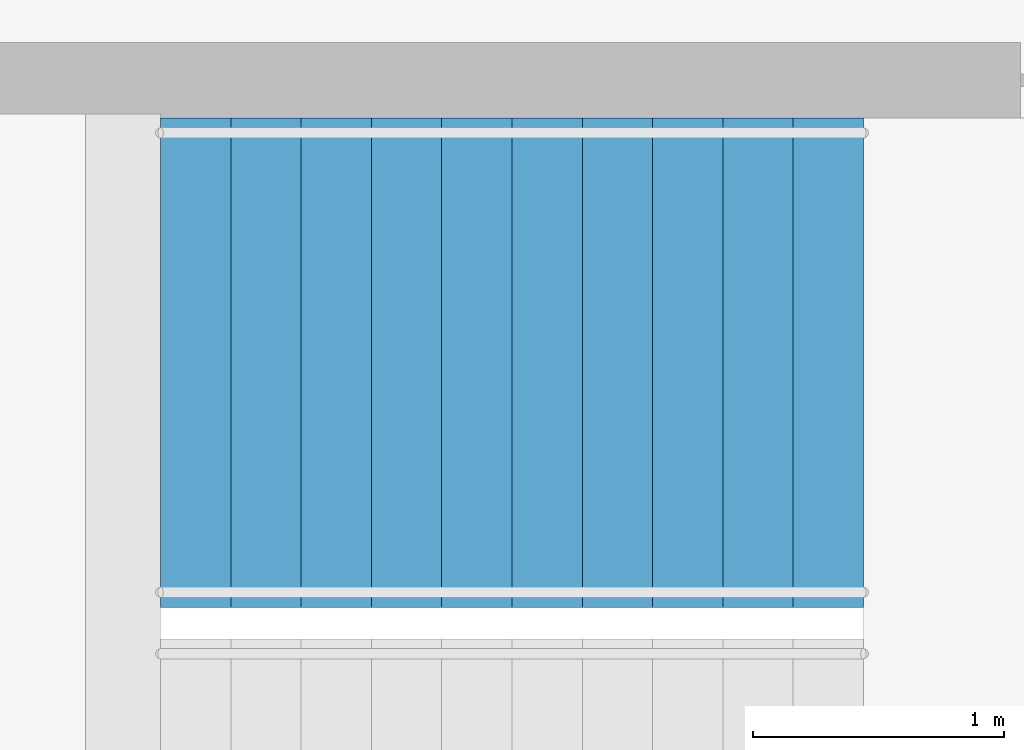
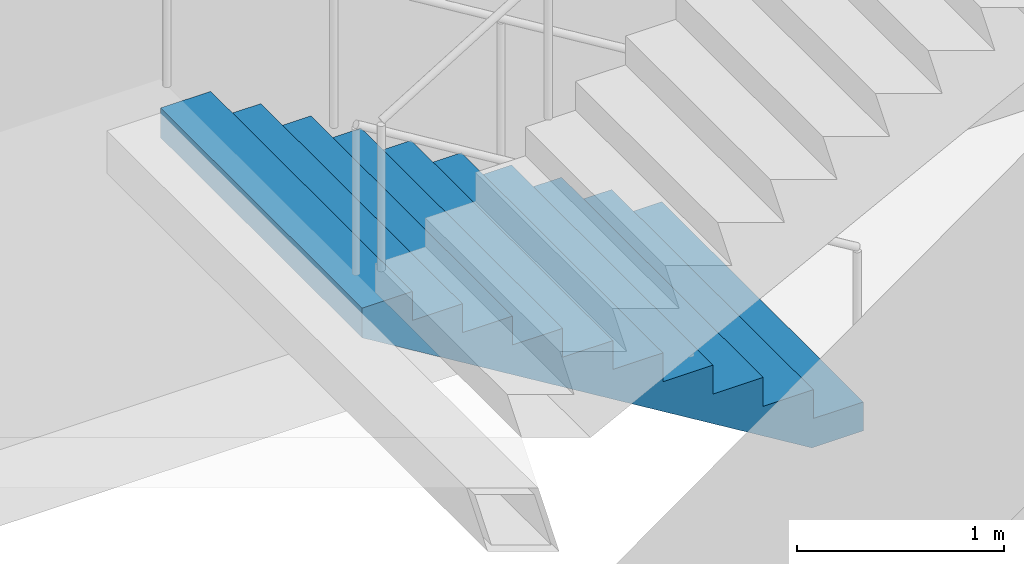
# One storey, part 27 of 28: 1 stair flight, 1 element without a shape of its own.
"""IFC4 building model written with IfcOpenShell, lengths in metres."""

from ifc_helpers import new_model, si_unit, direction, frame, origin, place, context, subcontext, project, spatial, triangles, material, type_object, element, aggregate, save


model = new_model("IFC4")

# Units and contexts
model_context = context("Model", 3, precision=1e-05, world=origin(), true_north=direction((0.0, 1.0)))
body_context = subcontext(model_context, "Body", "Model", "MODEL_VIEW")
ifc_project = project(units=[si_unit("LENGTHUNIT", "METRE"), si_unit("AREAUNIT", "SQUARE_METRE"), si_unit("VOLUMEUNIT", "CUBIC_METRE"), si_unit("PLANEANGLEUNIT", "RADIAN"), si_unit("MASSUNIT", "GRAM", prefix="KILO")], contexts=[model_context])

# Site, building, storey
site_placement = place(None, origin())
site = spatial("IfcSite", under=ifc_project, at=site_placement, CompositionType="ELEMENT")
building_placement = place(site_placement, origin())
building = spatial("IfcBuilding", under=site, at=building_placement, Name="Orbita Commons", CompositionType="ELEMENT")
storey_placement = place(building_placement, frame((0.0, 0.0, 193.60009765625)))
storey = spatial("IfcBuildingStorey", under=building, at=storey_placement, Name="L48", CompositionType="ELEMENT", Elevation=193.60009765625)

# Stair, stair flight
ifc_material_1 = material(Name="Precast concrete C40/50", Category="concrete")
stair_type = type_object("IfcStairType", Name="Exit stair S2 2 flights 11 risers 170", PredefinedType="HALF_TURN_STAIR", material=ifc_material_1)
stair_placement = place(storey_placement, origin())
stair = element("IfcStair", 1, at=stair_placement, inside=storey, type_object=stair_type, Name="Exit stair S2 L48", PredefinedType="HALF_TURN_STAIR")
ifc_material_2 = material(Name="Precast concrete C40/50", Category="concrete")
stair_flight_type = type_object("IfcStairFlightType", Name="Stair flight 11 risers 170 x 280", PredefinedType="STRAIGHT", material=ifc_material_2)
stair_flight_placement = place(storey_placement, frame((63.550048828125, 29.27490234375, 0.0), z_axis=(0.0, 0.0, 1.0), x_axis=(-1.0, 0.0, 0.0)))
stair_flight = element("IfcStairFlight", 2, at=stair_flight_placement, type_object=stair_flight_type, Name="S2 flight 1", NumberOfRisers=11, NumberOfTreads=10, PredefinedType="STRAIGHT", RiserHeight=0.170454545, TreadLength=0.28, context=body_context, shape_type="Tessellation", body=[
    triangles([(0.0, 0.974976, 0.0), (0.0, 0.974976, 0.021307), (0.0, 0.81248, 0.021307), (0.0, 0.81248, 0.0), (0.0, 0.649984, 0.021307), (0.0, 0.649984, 0.0), (0.0, 0.487488, 0.021307), (0.0, 0.487488, 0.0), (0.0, 0.324992, 0.021307), (0.0, 0.324992, 0.0), (0.0, 0.162496, 0.021307), (0.0, 0.162496, 0.0), (0.0, 0.0, 0.021307), (0.0, 0.0, 0.0), (0.0, -0.162496, 0.021307), (0.0, -0.162496, 0.0), (0.0, -0.324992, 0.021307), (0.0, -0.324992, 0.0), (0.0, -0.487488, 0.021307), (0.0, -0.487488, 0.0), (0.0, -0.649984, 0.021307), (0.0, -0.649984, 0.0), (0.0, -0.81248, 0.021307), (0.0, -0.81248, 0.0), (0.0, -0.974976, 0.021307), (0.0, -0.974976, 0.0), (0.0, 0.974976, 0.042614), (0.0, 0.81248, 0.042614), (0.0, 0.649984, 0.042614), (0.0, 0.487488, 0.042614), (0.0, 0.324992, 0.042614), (0.0, 0.162496, 0.042614), (0.0, 0.0, 0.042614), (0.0, -0.162496, 0.042614), (0.0, -0.324992, 0.042614), (0.0, -0.487488, 0.042614), (0.0, -0.649984, 0.042614), (0.0, -0.81248, 0.042614), (0.0, -0.974976, 0.042614), (0.0, 0.974976, 0.06392), (0.0, 0.81248, 0.06392), (0.0, 0.649984, 0.06392), (0.0, 0.487488, 0.06392), (0.0, 0.324992, 0.06392), (0.0, 0.162496, 0.06392), (0.0, 0.0, 0.06392), (0.0, -0.162496, 0.06392), (0.0, -0.324992, 0.06392), (0.0, -0.487488, 0.06392), (0.0, -0.649984, 0.06392), (0.0, -0.81248, 0.06392), (0.0, -0.974976, 0.06392), (0.0, 0.974976, 0.085227), (0.0, 0.81248, 0.085227), (0.0, 0.649984, 0.085227), (0.0, 0.487488, 0.085227), (0.0, 0.324992, 0.085227), (0.0, 0.162496, 0.085227), (0.0, 0.0, 0.085227), (0.0, -0.162496, 0.085227), (0.0, -0.324992, 0.085227), (0.0, -0.487488, 0.085227), (0.0, -0.649984, 0.085227), (0.0, -0.81248, 0.085227), (0.0, -0.974976, 0.085227), (0.0, 0.974976, 0.106534), (0.0, 0.81248, 0.106534), (0.0, 0.649984, 0.106534), (0.0, 0.487488, 0.106534), (0.0, 0.324992, 0.106534), (0.0, 0.162496, 0.106534), (0.0, 0.0, 0.106534), (0.0, -0.162496, 0.106534), (0.0, -0.324992, 0.106534), (0.0, -0.487488, 0.106534), (0.0, -0.649984, 0.106534), (0.0, -0.81248, 0.106534), (0.0, -0.974976, 0.106534), (0.0, 0.974976, 0.127841), (0.0, 0.81248, 0.127841), (0.0, 0.649984, 0.127841), (0.0, 0.487488, 0.127841), (0.0, 0.324992, 0.127841), (0.0, 0.162496, 0.127841), (0.0, 0.0, 0.127841), (0.0, -0.162496, 0.127841), (0.0, -0.324992, 0.127841), (0.0, -0.487488, 0.127841), (0.0, -0.649984, 0.127841), (0.0, -0.81248, 0.127841), (0.0, -0.974976, 0.127841), (0.0, 0.974976, 0.149148), (0.0, 0.81248, 0.149148), (0.0, 0.649984, 0.149148), (0.0, 0.487488, 0.149148), (0.0, 0.324992, 0.149148), (0.0, 0.162496, 0.149148), (0.0, 0.0, 0.149148), (0.0, -0.162496, 0.149148), (0.0, -0.324992, 0.149148), (0.0, -0.487488, 0.149148), (0.0, -0.649984, 0.149148), (0.0, -0.81248, 0.149148), (0.0, -0.974976, 0.149148), (0.0, 0.974976, 0.170455), (0.0, 0.81248, 0.170455), (0.0, 0.649984, 0.170455), (0.0, 0.487488, 0.170455), (0.0, 0.324992, 0.170455), (0.0, 0.162496, 0.170455), (0.0, 0.0, 0.170455), (0.0, -0.162496, 0.170455), (0.0, -0.324992, 0.170455), (0.0, -0.487488, 0.170455), (0.0, -0.649984, 0.170455), (0.0, -0.81248, 0.170455), (0.0, -0.974976, 0.170455), (0.28, 0.974976, 0.170455), (0.28, 0.81248, 0.170455), (0.28, 0.649984, 0.170455), (0.28, 0.487488, 0.170455), (0.28, 0.324992, 0.170455), (0.28, 0.162496, 0.170455), (0.28, 0.0, 0.170455), (0.28, -0.162496, 0.170455), (0.28, -0.324992, 0.170455), (0.28, -0.487488, 0.170455), (0.28, -0.649984, 0.170455), (0.28, -0.81248, 0.170455), (0.28, -0.974976, 0.170455), (0.28, 0.974976, 0.340909), (0.28, 0.81248, 0.340909), (0.28, 0.649984, 0.340909), (0.28, 0.487488, 0.340909), (0.28, 0.324992, 0.340909), (0.28, 0.162496, 0.340909), (0.28, 0.0, 0.340909), (0.28, -0.162496, 0.340909), (0.28, -0.324992, 0.340909), (0.28, -0.487488, 0.340909), (0.28, -0.649984, 0.340909), (0.28, -0.81248, 0.340909), (0.28, -0.974976, 0.340909), (0.56, 0.974976, 0.340909), (0.56, 0.81248, 0.340909), (0.56, 0.649984, 0.340909), (0.56, 0.487488, 0.340909), (0.56, 0.324992, 0.340909), (0.56, 0.162496, 0.340909), (0.56, 0.0, 0.340909), (0.56, -0.162496, 0.340909), (0.56, -0.324992, 0.340909), (0.56, -0.487488, 0.340909), (0.56, -0.649984, 0.340909), (0.56, -0.81248, 0.340909), (0.56, -0.974976, 0.340909), (0.56, 0.974976, 0.511364), (0.56, 0.81248, 0.511364), (0.56, 0.649984, 0.511364), (0.56, 0.487488, 0.511364), (0.56, 0.324992, 0.511364), (0.56, 0.162496, 0.511364), (0.56, 0.0, 0.511364), (0.56, -0.162496, 0.511364), (0.56, -0.324992, 0.511364), (0.56, -0.487488, 0.511364), (0.56, -0.649984, 0.511364), (0.56, -0.81248, 0.511364), (0.56, -0.974976, 0.511364), (0.84, 0.974976, 0.511364), (0.84, 0.81248, 0.511364), (0.84, 0.649984, 0.511364), (0.84, 0.487488, 0.511364), (0.84, 0.324992, 0.511364), (0.84, 0.162496, 0.511364), (0.84, 0.0, 0.511364), (0.84, -0.162496, 0.511364), (0.84, -0.324992, 0.511364), (0.84, -0.487488, 0.511364), (0.84, -0.649984, 0.511364), (0.84, -0.81248, 0.511364), (0.84, -0.974976, 0.511364), (0.84, 0.974976, 0.681818), (0.84, 0.81248, 0.681818), (0.84, 0.649984, 0.681818), (0.84, 0.487488, 0.681818), (0.84, 0.324992, 0.681818), (0.84, 0.162496, 0.681818), (0.84, 0.0, 0.681818), (0.84, -0.162496, 0.681818), (0.84, -0.324992, 0.681818), (0.84, -0.487488, 0.681818), (0.84, -0.649984, 0.681818), (0.84, -0.81248, 0.681818), (0.84, -0.974976, 0.681818), (1.12, 0.974976, 0.681818), (1.12, 0.81248, 0.681818), (1.12, 0.649984, 0.681818), (1.12, 0.487488, 0.681818), (1.12, 0.324992, 0.681818), (1.12, 0.162496, 0.681818), (1.12, 0.0, 0.681818), (1.12, -0.162496, 0.681818), (1.12, -0.324992, 0.681818), (1.12, -0.487488, 0.681818), (1.12, -0.649984, 0.681818), (1.12, -0.81248, 0.681818), (1.12, -0.974976, 0.681818), (1.12, 0.974976, 0.852273), (1.12, 0.81248, 0.852273), (1.12, 0.649984, 0.852273), (1.12, 0.487488, 0.852273), (1.12, 0.324992, 0.852273), (1.12, 0.162496, 0.852273), (1.12, 0.0, 0.852273), (1.12, -0.162496, 0.852273), (1.12, -0.324992, 0.852273), (1.12, -0.487488, 0.852273), (1.12, -0.649984, 0.852273), (1.12, -0.81248, 0.852273), (1.12, -0.974976, 0.852273), (1.4, 0.974976, 0.852273), (1.4, 0.81248, 0.852273), (1.4, 0.649984, 0.852273), (1.4, 0.487488, 0.852273), (1.4, 0.324992, 0.852273), (1.4, 0.162496, 0.852273), (1.4, 0.0, 0.852273), (1.4, -0.162496, 0.852273), (1.4, -0.324992, 0.852273), (1.4, -0.487488, 0.852273), (1.4, -0.649984, 0.852273), (1.4, -0.81248, 0.852273), (1.4, -0.974976, 0.852273), (1.4, 0.974976, 1.022727), (1.4, 0.81248, 1.022727), (1.4, 0.649984, 1.022727), (1.4, 0.487488, 1.022727), (1.4, 0.324992, 1.022727), (1.4, 0.162496, 1.022727), (1.4, 0.0, 1.022727), (1.4, -0.162496, 1.022727), (1.4, -0.324992, 1.022727), (1.4, -0.487488, 1.022727), (1.4, -0.649984, 1.022727), (1.4, -0.81248, 1.022727), (1.4, -0.974976, 1.022727), (1.68, 0.974976, 1.022727), (1.68, 0.81248, 1.022727), (1.68, 0.649984, 1.022727), (1.68, 0.487488, 1.022727), (1.68, 0.324992, 1.022727), (1.68, 0.162496, 1.022727), (1.68, 0.0, 1.022727), (1.68, -0.162496, 1.022727), (1.68, -0.324992, 1.022727), (1.68, -0.487488, 1.022727), (1.68, -0.649984, 1.022727), (1.68, -0.81248, 1.022727), (1.68, -0.974976, 1.022727), (1.68, 0.974976, 1.193182), (1.68, 0.81248, 1.193182), (1.68, 0.649984, 1.193182), (1.68, 0.487488, 1.193182), (1.68, 0.324992, 1.193182), (1.68, 0.162496, 1.193182), (1.68, 0.0, 1.193182), (1.68, -0.162496, 1.193182), (1.68, -0.324992, 1.193182), (1.68, -0.487488, 1.193182), (1.68, -0.649984, 1.193182), (1.68, -0.81248, 1.193182), (1.68, -0.974976, 1.193182), (1.96, 0.974976, 1.193182), (1.96, 0.81248, 1.193182), (1.96, 0.649984, 1.193182), (1.96, 0.487488, 1.193182), (1.96, 0.324992, 1.193182), (1.96, 0.162496, 1.193182), (1.96, 0.0, 1.193182), (1.96, -0.162496, 1.193182), (1.96, -0.324992, 1.193182), (1.96, -0.487488, 1.193182), (1.96, -0.649984, 1.193182), (1.96, -0.81248, 1.193182), (1.96, -0.974976, 1.193182), (1.96, 0.974976, 1.363636), (1.96, 0.81248, 1.363636), (1.96, 0.649984, 1.363636), (1.96, 0.487488, 1.363636), (1.96, 0.324992, 1.363636), (1.96, 0.162496, 1.363636), (1.96, 0.0, 1.363636), (1.96, -0.162496, 1.363636), (1.96, -0.324992, 1.363636), (1.96, -0.487488, 1.363636), (1.96, -0.649984, 1.363636), (1.96, -0.81248, 1.363636), (1.96, -0.974976, 1.363636), (2.24, 0.974976, 1.363636), (2.24, 0.81248, 1.363636), (2.24, 0.649984, 1.363636), (2.24, 0.487488, 1.363636), (2.24, 0.324992, 1.363636), (2.24, 0.162496, 1.363636), (2.24, 0.0, 1.363636), (2.24, -0.162496, 1.363636), (2.24, -0.324992, 1.363636), (2.24, -0.487488, 1.363636), (2.24, -0.649984, 1.363636), (2.24, -0.81248, 1.363636), (2.24, -0.974976, 1.363636), (2.24, 0.974976, 1.534091), (2.24, 0.81248, 1.534091), (2.24, 0.649984, 1.534091), (2.24, 0.487488, 1.534091), (2.24, 0.324992, 1.534091), (2.24, 0.162496, 1.534091), (2.24, 0.0, 1.534091), (2.24, -0.162496, 1.534091), (2.24, -0.324992, 1.534091), (2.24, -0.487488, 1.534091), (2.24, -0.649984, 1.534091), (2.24, -0.81248, 1.534091), (2.24, -0.974976, 1.534091), (2.52, 0.974976, 1.534091), (2.52, 0.81248, 1.534091), (2.52, 0.649984, 1.534091), (2.52, 0.487488, 1.534091), (2.52, 0.324992, 1.534091), (2.52, 0.162496, 1.534091), (2.52, 0.0, 1.534091), (2.52, -0.162496, 1.534091), (2.52, -0.324992, 1.534091), (2.52, -0.487488, 1.534091), (2.52, -0.649984, 1.534091), (2.52, -0.81248, 1.534091), (2.52, -0.974976, 1.534091), (2.52, 0.974976, 1.704545), (2.52, 0.81248, 1.704545), (2.52, 0.649984, 1.704545), (2.52, 0.487488, 1.704545), (2.52, 0.324992, 1.704545), (2.52, 0.162496, 1.704545), (2.52, 0.0, 1.704545), (2.52, -0.162496, 1.704545), (2.52, -0.324992, 1.704545), (2.52, -0.487488, 1.704545), (2.52, -0.649984, 1.704545), (2.52, -0.81248, 1.704545), (2.52, -0.974976, 1.704545), (2.8, 0.974976, 1.704545), (2.8, 0.81248, 1.704545), (2.8, 0.649984, 1.704545), (2.8, 0.487488, 1.704545), (2.8, 0.324992, 1.704545), (2.8, 0.162496, 1.704545), (2.8, 0.0, 1.704545), (2.8, -0.162496, 1.704545), (2.8, -0.324992, 1.704545), (2.8, -0.487488, 1.704545), (2.8, -0.649984, 1.704545), (2.8, -0.81248, 1.704545), (2.8, -0.974976, 1.704545), (2.8, 0.974976, 1.682609), (2.8, 0.81248, 1.682609), (2.8, 0.649984, 1.682609), (2.8, 0.487488, 1.682609), (2.8, 0.324992, 1.682609), (2.8, 0.162496, 1.682609), (2.8, 0.0, 1.682609), (2.8, -0.162496, 1.682609), (2.8, -0.324992, 1.682609), (2.8, -0.487488, 1.682609), (2.8, -0.649984, 1.682609), (2.8, -0.81248, 1.682609), (2.8, -0.974976, 1.682609), (2.8, 0.974976, 1.660672), (2.8, 0.81248, 1.660672), (2.8, 0.649984, 1.660672), (2.8, 0.487488, 1.660672), (2.8, 0.324992, 1.660672), (2.8, 0.162496, 1.660672), (2.8, 0.0, 1.660672), (2.8, -0.162496, 1.660672), (2.8, -0.324992, 1.660672), (2.8, -0.487488, 1.660672), (2.8, -0.649984, 1.660672), (2.8, -0.81248, 1.660672), (2.8, -0.974976, 1.660672), (2.8, 0.974976, 1.638735), (2.8, 0.81248, 1.638735), (2.8, 0.649984, 1.638735), (2.8, 0.487488, 1.638735), (2.8, 0.324992, 1.638735), (2.8, 0.162496, 1.638735), (2.8, 0.0, 1.638735), (2.8, -0.162496, 1.638735), (2.8, -0.324992, 1.638735), (2.8, -0.487488, 1.638735), (2.8, -0.649984, 1.638735), (2.8, -0.81248, 1.638735), (2.8, -0.974976, 1.638735), (2.8, 0.974976, 1.616798), (2.8, 0.81248, 1.616798), (2.8, 0.649984, 1.616798), (2.8, 0.487488, 1.616798), (2.8, 0.324992, 1.616798), (2.8, 0.162496, 1.616798), (2.8, 0.0, 1.616798), (2.8, -0.162496, 1.616798), (2.8, -0.324992, 1.616798), (2.8, -0.487488, 1.616798), (2.8, -0.649984, 1.616798), (2.8, -0.81248, 1.616798), (2.8, -0.974976, 1.616798), (2.8, 0.974976, 1.594861), (2.8, 0.81248, 1.594861), (2.8, 0.649984, 1.594861), (2.8, 0.487488, 1.594861), (2.8, 0.324992, 1.594861), (2.8, 0.162496, 1.594861), (2.8, 0.0, 1.594861), (2.8, -0.162496, 1.594861), (2.8, -0.324992, 1.594861), (2.8, -0.487488, 1.594861), (2.8, -0.649984, 1.594861), (2.8, -0.81248, 1.594861), (2.8, -0.974976, 1.594861), (2.8, 0.974976, 1.572925), (2.8, 0.81248, 1.572925), (2.8, 0.649984, 1.572925), (2.8, 0.487488, 1.572925), (2.8, 0.324992, 1.572925), (2.8, 0.162496, 1.572925), (2.8, 0.0, 1.572925), (2.8, -0.162496, 1.572925), (2.8, -0.324992, 1.572925), (2.8, -0.487488, 1.572925), (2.8, -0.649984, 1.572925), (2.8, -0.81248, 1.572925), (2.8, -0.974976, 1.572925), (2.8, 0.974976, 1.550988), (2.8, 0.81248, 1.550988), (2.8, 0.649984, 1.550988), (2.8, 0.487488, 1.550988), (2.8, 0.324992, 1.550988), (2.8, 0.162496, 1.550988), (2.8, 0.0, 1.550988), (2.8, -0.162496, 1.550988), (2.8, -0.324992, 1.550988), (2.8, -0.487488, 1.550988), (2.8, -0.649984, 1.550988), (2.8, -0.81248, 1.550988), (2.8, -0.974976, 1.550988), (2.8, 0.974976, 1.529051), (2.8, 0.81248, 1.529051), (2.8, 0.649984, 1.529051), (2.8, 0.487488, 1.529051), (2.8, 0.324992, 1.529051), (2.8, 0.162496, 1.529051), (2.8, 0.0, 1.529051), (2.8, -0.162496, 1.529051), (2.8, -0.324992, 1.529051), (2.8, -0.487488, 1.529051), (2.8, -0.649984, 1.529051), (2.8, -0.81248, 1.529051), (2.8, -0.974976, 1.529051), (0.288279, 0.974976, 0.0), (0.288279, 0.81248, 0.0), (0.288279, 0.649984, 0.0), (0.288279, 0.487488, 0.0), (0.288279, 0.324992, 0.0), (0.288279, 0.162496, 0.0), (0.288279, 0.0, 0.0), (0.288279, -0.162496, 0.0), (0.288279, -0.324992, 0.0), (0.288279, -0.487488, 0.0), (0.288279, -0.649984, 0.0), (0.288279, -0.81248, 0.0), (0.288279, -0.974976, 0.0)], [[3, 2, 1], [4, 3, 1], [5, 3, 4], [6, 5, 4], [7, 5, 6], [8, 7, 6], [9, 7, 8], [10, 9, 8], [11, 9, 10], [12, 11, 10], [13, 11, 12], [14, 13, 12], [15, 13, 14], [16, 15, 14], [17, 15, 16], [18, 17, 16], [19, 17, 18], [20, 19, 18], [21, 19, 20], [22, 21, 20], [23, 21, 22], [24, 23, 22], [25, 23, 24], [26, 25, 24], [28, 27, 2], [3, 28, 2], [29, 28, 3], [5, 29, 3], [30, 29, 5], [7, 30, 5], [31, 30, 7], [9, 31, 7], [32, 31, 9], [11, 32, 9], [33, 32, 11], [13, 33, 11], [34, 33, 13], [15, 34, 13], [35, 34, 15], [17, 35, 15], [36, 35, 17], [19, 36, 17], [37, 36, 19], [21, 37, 19], [38, 37, 21], [23, 38, 21], [39, 38, 23], [25, 39, 23], [41, 40, 27], [28, 41, 27], [42, 41, 28], [29, 42, 28], [43, 42, 29], [30, 43, 29], [44, 43, 30], [31, 44, 30], [45, 44, 31], [32, 45, 31], [46, 45, 32], [33, 46, 32], [47, 46, 33], [34, 47, 33], [48, 47, 34], [35, 48, 34], [49, 48, 35], [36, 49, 35], [50, 49, 36], [37, 50, 36], [51, 50, 37], [38, 51, 37], [52, 51, 38], [39, 52, 38], [54, 53, 40], [41, 54, 40], [55, 54, 41], [42, 55, 41], [56, 55, 42], [43, 56, 42], [57, 56, 43], [44, 57, 43], [58, 57, 44], [45, 58, 44], [59, 58, 45], [46, 59, 45], [60, 59, 46], [47, 60, 46], [61, 60, 47], [48, 61, 47], [62, 61, 48], [49, 62, 48], [63, 62, 49], [50, 63, 49], [64, 63, 50], [51, 64, 50], [65, 64, 51], [52, 65, 51], [67, 66, 53], [54, 67, 53], [68, 67, 54], [55, 68, 54], [69, 68, 55], [56, 69, 55], [70, 69, 56], [57, 70, 56], [71, 70, 57], [58, 71, 57], [72, 71, 58], [59, 72, 58], [73, 72, 59], [60, 73, 59], [74, 73, 60], [61, 74, 60], [75, 74, 61], [62, 75, 61], [76, 75, 62], [63, 76, 62], [77, 76, 63], [64, 77, 63], [78, 77, 64], [65, 78, 64], [80, 79, 66], [67, 80, 66], [81, 80, 67], [68, 81, 67], [82, 81, 68], [69, 82, 68], [83, 82, 69], [70, 83, 69], [84, 83, 70], [71, 84, 70], [85, 84, 71], [72, 85, 71], [86, 85, 72], [73, 86, 72], [87, 86, 73], [74, 87, 73], [88, 87, 74], [75, 88, 74], [89, 88, 75], [76, 89, 75], [90, 89, 76], [77, 90, 76], [91, 90, 77], [78, 91, 77], [93, 92, 79], [80, 93, 79], [94, 93, 80], [81, 94, 80], [95, 94, 81], [82, 95, 81], [96, 95, 82], [83, 96, 82], [97, 96, 83], [84, 97, 83], [98, 97, 84], [85, 98, 84], [99, 98, 85], [86, 99, 85], [100, 99, 86], [87, 100, 86], [101, 100, 87], [88, 101, 87], [102, 101, 88], [89, 102, 88], [103, 102, 89], [90, 103, 89], [104, 103, 90], [91, 104, 90], [106, 105, 92], [93, 106, 92], [107, 106, 93], [94, 107, 93], [108, 107, 94], [95, 108, 94], [109, 108, 95], [96, 109, 95], [110, 109, 96], [97, 110, 96], [111, 110, 97], [98, 111, 97], [112, 111, 98], [99, 112, 98], [113, 112, 99], [100, 113, 99], [114, 113, 100], [101, 114, 100], [115, 114, 101], [102, 115, 101], [116, 115, 102], [103, 116, 102], [117, 116, 103], [104, 117, 103], [119, 118, 105], [106, 119, 105], [120, 119, 106], [107, 120, 106], [121, 120, 107], [108, 121, 107], [122, 121, 108], [109, 122, 108], [123, 122, 109], [110, 123, 109], [124, 123, 110], [111, 124, 110], [125, 124, 111], [112, 125, 111], [126, 125, 112], [113, 126, 112], [127, 126, 113], [114, 127, 113], [128, 127, 114], [115, 128, 114], [129, 128, 115], [116, 129, 115], [130, 129, 116], [117, 130, 116], [132, 131, 118], [119, 132, 118], [133, 132, 119], [120, 133, 119], [134, 133, 120], [121, 134, 120], [135, 134, 121], [122, 135, 121], [136, 135, 122], [123, 136, 122], [137, 136, 123], [124, 137, 123], [138, 137, 124], [125, 138, 124], [139, 138, 125], [126, 139, 125], [140, 139, 126], [127, 140, 126], [141, 140, 127], [128, 141, 127], [142, 141, 128], [129, 142, 128], [143, 142, 129], [130, 143, 129], [145, 144, 131], [132, 145, 131], [146, 145, 132], [133, 146, 132], [147, 146, 133], [134, 147, 133], [148, 147, 134], [135, 148, 134], [149, 148, 135], [136, 149, 135], [150, 149, 136], [137, 150, 136], [151, 150, 137], [138, 151, 137], [152, 151, 138], [139, 152, 138], [153, 152, 139], [140, 153, 139], [154, 153, 140], [141, 154, 140], [155, 154, 141], [142, 155, 141], [156, 155, 142], [143, 156, 142], [158, 157, 144], [145, 158, 144], [159, 158, 145], [146, 159, 145], [160, 159, 146], [147, 160, 146], [161, 160, 147], [148, 161, 147], [162, 161, 148], [149, 162, 148], [163, 162, 149], [150, 163, 149], [164, 163, 150], [151, 164, 150], [165, 164, 151], [152, 165, 151], [166, 165, 152], [153, 166, 152], [167, 166, 153], [154, 167, 153], [168, 167, 154], [155, 168, 154], [169, 168, 155], [156, 169, 155], [171, 170, 157], [158, 171, 157], [172, 171, 158], [159, 172, 158], [173, 172, 159], [160, 173, 159], [174, 173, 160], [161, 174, 160], [175, 174, 161], [162, 175, 161], [176, 175, 162], [163, 176, 162], [177, 176, 163], [164, 177, 163], [178, 177, 164], [165, 178, 164], [179, 178, 165], [166, 179, 165], [180, 179, 166], [167, 180, 166], [181, 180, 167], [168, 181, 167], [182, 181, 168], [169, 182, 168], [184, 183, 170], [171, 184, 170], [185, 184, 171], [172, 185, 171], [186, 185, 172], [173, 186, 172], [187, 186, 173], [174, 187, 173], [188, 187, 174], [175, 188, 174], [189, 188, 175], [176, 189, 175], [190, 189, 176], [177, 190, 176], [191, 190, 177], [178, 191, 177], [192, 191, 178], [179, 192, 178], [193, 192, 179], [180, 193, 179], [194, 193, 180], [181, 194, 180], [195, 194, 181], [182, 195, 181], [197, 196, 183], [184, 197, 183], [198, 197, 184], [185, 198, 184], [199, 198, 185], [186, 199, 185], [200, 199, 186], [187, 200, 186], [201, 200, 187], [188, 201, 187], [202, 201, 188], [189, 202, 188], [203, 202, 189], [190, 203, 189], [204, 203, 190], [191, 204, 190], [205, 204, 191], [192, 205, 191], [206, 205, 192], [193, 206, 192], [207, 206, 193], [194, 207, 193], [208, 207, 194], [195, 208, 194], [210, 209, 196], [197, 210, 196], [211, 210, 197], [198, 211, 197], [212, 211, 198], [199, 212, 198], [213, 212, 199], [200, 213, 199], [214, 213, 200], [201, 214, 200], [215, 214, 201], [202, 215, 201], [216, 215, 202], [203, 216, 202], [217, 216, 203], [204, 217, 203], [218, 217, 204], [205, 218, 204], [219, 218, 205], [206, 219, 205], [220, 219, 206], [207, 220, 206], [221, 220, 207], [208, 221, 207], [223, 222, 209], [210, 223, 209], [224, 223, 210], [211, 224, 210], [225, 224, 211], [212, 225, 211], [226, 225, 212], [213, 226, 212], [227, 226, 213], [214, 227, 213], [228, 227, 214], [215, 228, 214], [229, 228, 215], [216, 229, 215], [230, 229, 216], [217, 230, 216], [231, 230, 217], [218, 231, 217], [232, 231, 218], [219, 232, 218], [233, 232, 219], [220, 233, 219], [234, 233, 220], [221, 234, 220], [236, 235, 222], [223, 236, 222], [237, 236, 223], [224, 237, 223], [238, 237, 224], [225, 238, 224], [239, 238, 225], [226, 239, 225], [240, 239, 226], [227, 240, 226], [241, 240, 227], [228, 241, 227], [242, 241, 228], [229, 242, 228], [243, 242, 229], [230, 243, 229], [244, 243, 230], [231, 244, 230], [245, 244, 231], [232, 245, 231], [246, 245, 232], [233, 246, 232], [247, 246, 233], [234, 247, 233], [249, 248, 235], [236, 249, 235], [250, 249, 236], [237, 250, 236], [251, 250, 237], [238, 251, 237], [252, 251, 238], [239, 252, 238], [253, 252, 239], [240, 253, 239], [254, 253, 240], [241, 254, 240], [255, 254, 241], [242, 255, 241], [256, 255, 242], [243, 256, 242], [257, 256, 243], [244, 257, 243], [258, 257, 244], [245, 258, 244], [259, 258, 245], [246, 259, 245], [260, 259, 246], [247, 260, 246], [262, 261, 248], [249, 262, 248], [263, 262, 249], [250, 263, 249], [264, 263, 250], [251, 264, 250], [265, 264, 251], [252, 265, 251], [266, 265, 252], [253, 266, 252], [267, 266, 253], [254, 267, 253], [268, 267, 254], [255, 268, 254], [269, 268, 255], [256, 269, 255], [270, 269, 256], [257, 270, 256], [271, 270, 257], [258, 271, 257], [272, 271, 258], [259, 272, 258], [273, 272, 259], [260, 273, 259], [275, 274, 261], [262, 275, 261], [276, 275, 262], [263, 276, 262], [277, 276, 263], [264, 277, 263], [278, 277, 264], [265, 278, 264], [279, 278, 265], [266, 279, 265], [280, 279, 266], [267, 280, 266], [281, 280, 267], [268, 281, 267], [282, 281, 268], [269, 282, 268], [283, 282, 269], [270, 283, 269], [284, 283, 270], [271, 284, 270], [285, 284, 271], [272, 285, 271], [286, 285, 272], [273, 286, 272], [288, 287, 274], [275, 288, 274], [289, 288, 275], [276, 289, 275], [290, 289, 276], [277, 290, 276], [291, 290, 277], [278, 291, 277], [292, 291, 278], [279, 292, 278], [293, 292, 279], [280, 293, 279], [294, 293, 280], [281, 294, 280], [295, 294, 281], [282, 295, 281], [296, 295, 282], [283, 296, 282], [297, 296, 283], [284, 297, 283], [298, 297, 284], [285, 298, 284], [299, 298, 285], [286, 299, 285], [301, 300, 287], [288, 301, 287], [302, 301, 288], [289, 302, 288], [303, 302, 289], [290, 303, 289], [304, 303, 290], [291, 304, 290], [305, 304, 291], [292, 305, 291], [306, 305, 292], [293, 306, 292], [307, 306, 293], [294, 307, 293], [308, 307, 294], [295, 308, 294], [309, 308, 295], [296, 309, 295], [310, 309, 296], [297, 310, 296], [311, 310, 297], [298, 311, 297], [312, 311, 298], [299, 312, 298], [314, 313, 300], [301, 314, 300], [315, 314, 301], [302, 315, 301], [316, 315, 302], [303, 316, 302], [317, 316, 303], [304, 317, 303], [318, 317, 304], [305, 318, 304], [319, 318, 305], [306, 319, 305], [320, 319, 306], [307, 320, 306], [321, 320, 307], [308, 321, 307], [322, 321, 308], [309, 322, 308], [323, 322, 309], [310, 323, 309], [324, 323, 310], [311, 324, 310], [325, 324, 311], [312, 325, 311], [327, 326, 313], [314, 327, 313], [328, 327, 314], [315, 328, 314], [329, 328, 315], [316, 329, 315], [330, 329, 316], [317, 330, 316], [331, 330, 317], [318, 331, 317], [332, 331, 318], [319, 332, 318], [333, 332, 319], [320, 333, 319], [334, 333, 320], [321, 334, 320], [335, 334, 321], [322, 335, 321], [336, 335, 322], [323, 336, 322], [337, 336, 323], [324, 337, 323], [338, 337, 324], [325, 338, 324], [340, 339, 326], [327, 340, 326], [341, 340, 327], [328, 341, 327], [342, 341, 328], [329, 342, 328], [343, 342, 329], [330, 343, 329], [344, 343, 330], [331, 344, 330], [345, 344, 331], [332, 345, 331], [346, 345, 332], [333, 346, 332], [347, 346, 333], [334, 347, 333], [348, 347, 334], [335, 348, 334], [349, 348, 335], [336, 349, 335], [350, 349, 336], [337, 350, 336], [351, 350, 337], [338, 351, 337], [353, 352, 339], [340, 353, 339], [354, 353, 340], [341, 354, 340], [355, 354, 341], [342, 355, 341], [356, 355, 342], [343, 356, 342], [357, 356, 343], [344, 357, 343], [358, 357, 344], [345, 358, 344], [359, 358, 345], [346, 359, 345], [360, 359, 346], [347, 360, 346], [361, 360, 347], [348, 361, 347], [362, 361, 348], [349, 362, 348], [363, 362, 349], [350, 363, 349], [364, 363, 350], [351, 364, 350], [366, 365, 352], [353, 366, 352], [367, 366, 353], [354, 367, 353], [368, 367, 354], [355, 368, 354], [369, 368, 355], [356, 369, 355], [370, 369, 356], [357, 370, 356], [371, 370, 357], [358, 371, 357], [372, 371, 358], [359, 372, 358], [373, 372, 359], [360, 373, 359], [374, 373, 360], [361, 374, 360], [375, 374, 361], [362, 375, 361], [376, 375, 362], [363, 376, 362], [377, 376, 363], [364, 377, 363], [379, 378, 365], [366, 379, 365], [380, 379, 366], [367, 380, 366], [381, 380, 367], [368, 381, 367], [382, 381, 368], [369, 382, 368], [383, 382, 369], [370, 383, 369], [384, 383, 370], [371, 384, 370], [385, 384, 371], [372, 385, 371], [386, 385, 372], [373, 386, 372], [387, 386, 373], [374, 387, 373], [388, 387, 374], [375, 388, 374], [389, 388, 375], [376, 389, 375], [390, 389, 376], [377, 390, 376], [392, 391, 378], [379, 392, 378], [393, 392, 379], [380, 393, 379], [394, 393, 380], [381, 394, 380], [395, 394, 381], [382, 395, 381], [396, 395, 382], [383, 396, 382], [397, 396, 383], [384, 397, 383], [398, 397, 384], [385, 398, 384], [399, 398, 385], [386, 399, 385], [400, 399, 386], [387, 400, 386], [401, 400, 387], [388, 401, 387], [402, 401, 388], [389, 402, 388], [403, 402, 389], [390, 403, 389], [405, 404, 391], [392, 405, 391], [406, 405, 392], [393, 406, 392], [407, 406, 393], [394, 407, 393], [408, 407, 394], [395, 408, 394], [409, 408, 395], [396, 409, 395], [410, 409, 396], [397, 410, 396], [411, 410, 397], [398, 411, 397], [412, 411, 398], [399, 412, 398], [413, 412, 399], [400, 413, 399], [414, 413, 400], [401, 414, 400], [415, 414, 401], [402, 415, 401], [416, 415, 402], [403, 416, 402], [418, 417, 404], [405, 418, 404], [419, 418, 405], [406, 419, 405], [420, 419, 406], [407, 420, 406], [421, 420, 407], [408, 421, 407], [422, 421, 408], [409, 422, 408], [423, 422, 409], [410, 423, 409], [424, 423, 410], [411, 424, 410], [425, 424, 411], [412, 425, 411], [426, 425, 412], [413, 426, 412], [427, 426, 413], [414, 427, 413], [428, 427, 414], [415, 428, 414], [429, 428, 415], [416, 429, 415], [431, 430, 417], [418, 431, 417], [432, 431, 418], [419, 432, 418], [433, 432, 419], [420, 433, 419], [434, 433, 420], [421, 434, 420], [435, 434, 421], [422, 435, 421], [436, 435, 422], [423, 436, 422], [437, 436, 423], [424, 437, 423], [438, 437, 424], [425, 438, 424], [439, 438, 425], [426, 439, 425], [440, 439, 426], [427, 440, 426], [441, 440, 427], [428, 441, 427], [442, 441, 428], [429, 442, 428], [444, 443, 430], [431, 444, 430], [445, 444, 431], [432, 445, 431], [446, 445, 432], [433, 446, 432], [447, 446, 433], [434, 447, 433], [448, 447, 434], [435, 448, 434], [449, 448, 435], [436, 449, 435], [450, 449, 436], [437, 450, 436], [451, 450, 437], [438, 451, 437], [452, 451, 438], [439, 452, 438], [453, 452, 439], [440, 453, 439], [454, 453, 440], [441, 454, 440], [455, 454, 441], [442, 455, 441], [457, 456, 443], [444, 457, 443], [458, 457, 444], [445, 458, 444], [459, 458, 445], [446, 459, 445], [460, 459, 446], [447, 460, 446], [461, 460, 447], [448, 461, 447], [462, 461, 448], [449, 462, 448], [463, 462, 449], [450, 463, 449], [464, 463, 450], [451, 464, 450], [465, 464, 451], [452, 465, 451], [466, 465, 452], [453, 466, 452], [467, 466, 453], [454, 467, 453], [468, 467, 454], [455, 468, 454], [470, 469, 456], [457, 470, 456], [471, 470, 457], [458, 471, 457], [472, 471, 458], [459, 472, 458], [473, 472, 459], [460, 473, 459], [474, 473, 460], [461, 474, 460], [475, 474, 461], [462, 475, 461], [476, 475, 462], [463, 476, 462], [477, 476, 463], [464, 477, 463], [478, 477, 464], [465, 478, 464], [479, 478, 465], [466, 479, 465], [480, 479, 466], [467, 480, 466], [481, 480, 467], [468, 481, 467], [4, 1, 469], [470, 4, 469], [6, 4, 470], [471, 6, 470], [8, 6, 471], [472, 8, 471], [10, 8, 472], [473, 10, 472], [12, 10, 473], [474, 12, 473], [14, 12, 474], [475, 14, 474], [16, 14, 475], [476, 16, 475], [18, 16, 476], [477, 18, 476], [20, 18, 477], [478, 20, 477], [22, 20, 478], [479, 22, 478], [24, 22, 479], [480, 24, 479], [26, 24, 480], [481, 26, 480], [456, 469, 1], [26, 481, 468], [443, 456, 1], [26, 468, 455], [430, 443, 1], [26, 455, 442], [417, 430, 1], [26, 442, 429], [404, 417, 1], [26, 429, 416], [391, 404, 1], [26, 416, 403], [378, 391, 1], [26, 403, 390], [365, 378, 1], [26, 390, 377], [339, 352, 365], [377, 364, 351], [326, 339, 365], [377, 351, 338], [300, 313, 326], [338, 325, 312], [300, 326, 365], [377, 338, 312], [274, 287, 300], [312, 299, 286], [274, 300, 365], [377, 312, 286], [248, 261, 274], [286, 273, 260], [248, 274, 365], [377, 286, 260], [222, 235, 248], [260, 247, 234], [222, 248, 365], [377, 260, 234], [196, 209, 222], [234, 221, 208], [196, 222, 365], [377, 234, 208], [170, 183, 196], [208, 195, 182], [170, 196, 365], [377, 208, 182], [144, 157, 170], [182, 169, 156], [144, 170, 365], [377, 182, 156], [118, 131, 144], [156, 143, 130], [118, 144, 365], [377, 156, 130], [118, 365, 1], [26, 377, 130], [92, 105, 118], [130, 117, 104], [79, 92, 118], [130, 104, 91], [66, 79, 118], [130, 91, 78], [53, 66, 118], [130, 78, 65], [40, 53, 118], [130, 65, 52], [27, 40, 118], [130, 52, 39], [2, 27, 118], [130, 39, 25], [1, 2, 118], [130, 25, 26]], closed=True),
])
aggregate(stair, [stair_flight])

save(model, "model.ifc")
